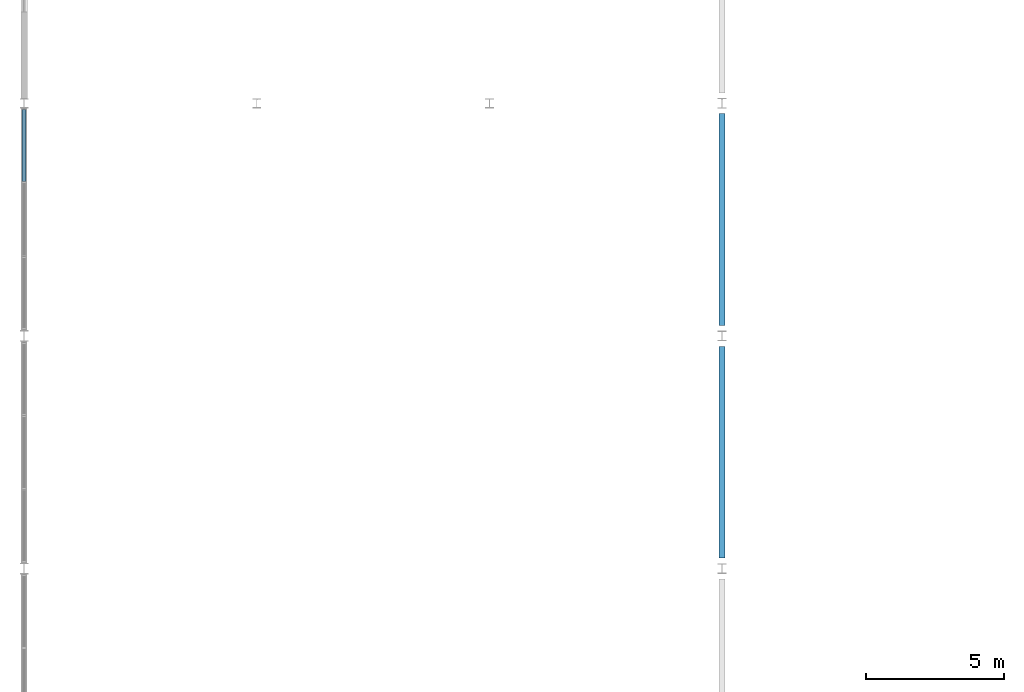
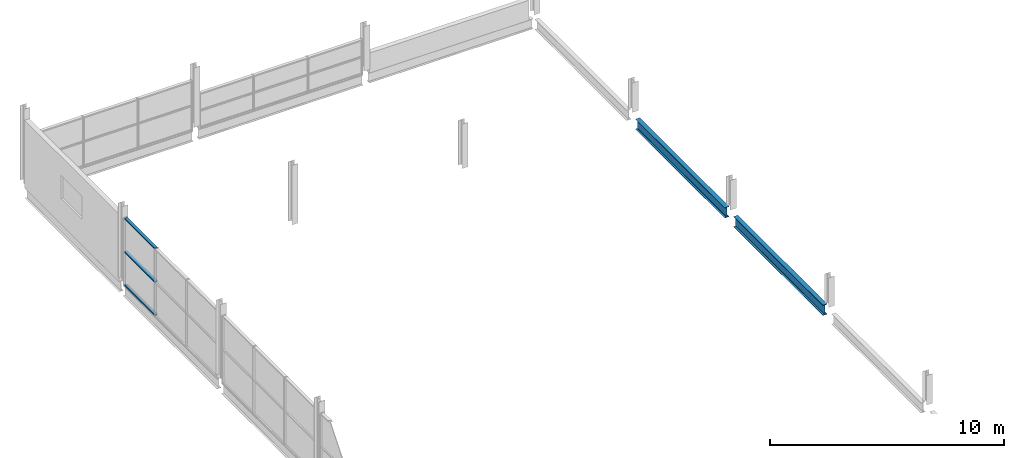
# One storey, part 13 of 43: 3 members, 2 beams, 1 element without a shape of its own.
"""IFC4 building model written with IfcOpenShell, lengths in metres."""

from ifc_helpers import new_model, si_unit, direction, frame, origin, origin_2d, place, context, subcontext, project, spatial, hollow_rectangle, i_section, extrude, material, material_profile, profile_set, type_object, element, aggregate, save


model = new_model("IFC4")

# Units and contexts
model_context = context("Model", 3, precision=1e-05, world=origin(), true_north=direction((0.0, 1.0)))
body_context = subcontext(model_context, "Body", "Model", "MODEL_VIEW")
ifc_project = project(units=[si_unit("LENGTHUNIT", "METRE"), si_unit("AREAUNIT", "SQUARE_METRE"), si_unit("VOLUMEUNIT", "CUBIC_METRE"), si_unit("PLANEANGLEUNIT", "RADIAN"), si_unit("MASSUNIT", "GRAM", prefix="KILO"), si_unit("THERMODYNAMICTEMPERATUREUNIT", "KELVIN")], contexts=[model_context])

# Site, building, storey
site_placement = place(None, origin())
site = spatial("IfcSite", under=ifc_project, at=site_placement, CompositionType="ELEMENT")
building_placement = place(site_placement, origin())
building = spatial("IfcBuilding", under=site, at=building_placement, Name="Nduvali Passage Aquatics Centre", CompositionType="ELEMENT")
storey_placement = place(building_placement, frame((0.0, 0.0, 17.39990234375)))
storey = spatial("IfcBuildingStorey", under=building, at=storey_placement, Name="L04", CompositionType="ELEMENT", Elevation=17.39990234375)

# Curtain wall, members
ifc_material_1 = material(Name="Aluminium EN AW-6063 T6", Category="aluminium")
curtain_wall_type = type_object("IfcCurtainWallType", Name="ENV-CW-DIVE", PredefinedType="NOTDEFINED", material=ifc_material_1)
curtain_wall_placement = place(storey_placement, origin())
curtain_wall = element("IfcCurtainWall", 1, at=curtain_wall_placement, inside=storey, type_object=curtain_wall_type, Name="L04 West Diving Upper Roof Clerestory CW 146", PredefinedType="NOTDEFINED")
ifc_material_profile_1 = material_profile(ifc_material_1, hollow_rectangle(XDim=0.14990234375, YDim=0.06005859375, WallThickness=0.00390625, at=origin_2d()), Name="ALU TRANSOM 150x60x4")
ifc_profile_set_1 = profile_set([ifc_material_profile_1], Name="Aluminium EN AW-6063 T6")
member_type = type_object("IfcMemberType", Name="ENV-MEM-TRN80", PredefinedType="USERDEFINED", material=ifc_profile_set_1)
member_1_placement = place(storey_placement, frame((0.0, 72.783203125, -0.199951171875), z_axis=(0.0, 1.0, 0.0), x_axis=(-1.0, 0.0, 0.0)))
member_1 = element("IfcMember", 2, at=member_1_placement, type_object=member_type, Name="West Diving Upper Roof Clerestory CW Transom B3-R0", ObjectType="TRANSOM", PredefinedType="USERDEFINED", context=body_context, shape_type="SweptSolid", body=[
    extrude(hollow_rectangle(XDim=0.14990234375, YDim=0.06005859375, WallThickness=0.00390625, at=origin_2d()), origin(), (0.0, 0.0, 1.0), 2.5869140625),
])
member_2_placement = place(storey_placement, frame((0.0, 72.783203125, 1.5400390625), z_axis=(0.0, 1.0, 0.0), x_axis=(-1.0, 0.0, 0.0)))
member_2 = element("IfcMember", 3, at=member_2_placement, type_object=member_type, Name="West Diving Upper Roof Clerestory CW Transom B3-R1", ObjectType="TRANSOM", PredefinedType="USERDEFINED", context=body_context, shape_type="SweptSolid", body=[
    extrude(hollow_rectangle(XDim=0.14990234375, YDim=0.06005859375, WallThickness=0.00390625, at=origin_2d()), origin(), (0.0, 0.0, 1.0), 2.5869140625),
])
member_3_placement = place(storey_placement, frame((0.0, 72.783203125, 3.280029296875), z_axis=(0.0, 1.0, 0.0), x_axis=(-1.0, 0.0, 0.0)))
member_3 = element("IfcMember", 4, at=member_3_placement, type_object=member_type, Name="West Diving Upper Roof Clerestory CW Transom B3-R2", ObjectType="TRANSOM", PredefinedType="USERDEFINED", context=body_context, shape_type="SweptSolid", body=[
    extrude(hollow_rectangle(XDim=0.14990234375, YDim=0.06005859375, WallThickness=0.00390625, at=origin_2d()), origin(), (0.0, 0.0, 1.0), 2.5869140625),
])
aggregate(curtain_wall, [member_1, member_2, member_3])

# Beams
ifc_material_2 = material(Name="Steel S355", Category="steel")
ifc_material_profile_2 = material_profile(ifc_material_2, i_section(OverallWidth=0.210693359375, OverallDepth=0.53955078125, WebThickness=0.01171875, FlangeThickness=0.018798828125, FilletRadius=0.0126953125, at=origin_2d()), Name="UKB 533x210x109")
ifc_profile_set_2 = profile_set([ifc_material_profile_2], Name="Steel S355")
beam_type = type_object("IfcBeamType", Name="STR-BM-UKB533-EXT", PredefinedType="BEAM", material=ifc_profile_set_2)
beam_1_placement = place(storey_placement, frame((25.199951171875, 59.175048828125, -0.503662109375), z_axis=(0.0, 1.0, 0.0), x_axis=(-1.0, 0.0, 0.0)))
element("IfcBeam", 5, at=beam_1_placement, inside=storey, type_object=beam_type, Name="L04 Primary Y-Girder B6E-1367", PredefinedType="BEAM", context=body_context, shape_type="SweptSolid", body=[
    extrude(i_section(OverallWidth=0.210693359375, OverallDepth=0.53955078125, WebThickness=0.01171875, FlangeThickness=0.018798828125, FilletRadius=0.0126953125, at=origin_2d()), origin(), (0.0, 0.0, 1.0), 7.64990234375),
])
beam_2_placement = place(storey_placement, frame((25.199951171875, 67.574951171875, -0.503662109375), z_axis=(0.0, 1.0, 0.0), x_axis=(-1.0, 0.0, 0.0)))
element("IfcBeam", 6, at=beam_2_placement, inside=storey, type_object=beam_type, Name="L04 Primary Y-Girder B6E-1368", PredefinedType="BEAM", context=body_context, shape_type="SweptSolid", body=[
    extrude(i_section(OverallWidth=0.210693359375, OverallDepth=0.53955078125, WebThickness=0.01171875, FlangeThickness=0.018798828125, FilletRadius=0.0126953125, at=origin_2d()), origin(), (0.0, 0.0, 1.0), 7.650146484375),
])

save(model, "model.ifc")
